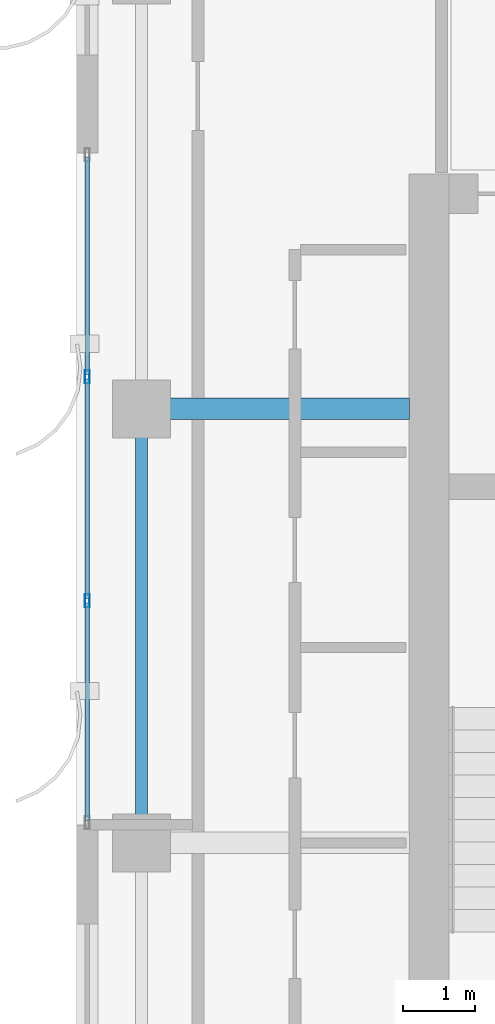
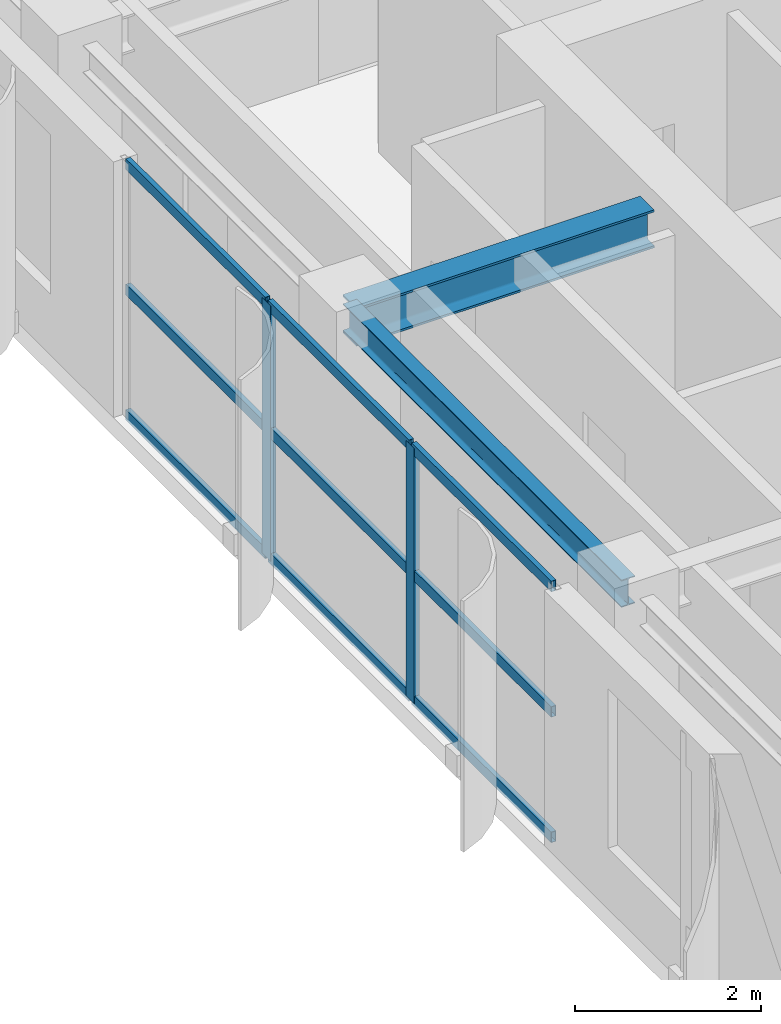
# One storey, part 6 of 24: 11 members, 2 beams, 1 element without a shape of its own.
"""IFC4 building model written with IfcOpenShell, lengths in metres."""

import ifcopenshell
import ifcopenshell.guid

model = None  # the IFC model being written
_history = None  # IfcOwnerHistory: only IFC2X3 demands one
_inside = {}  # id of a spatial element -> (the spatial element, [elements in it])
_under = {}  # id of a project, library or spatial element -> (it, [spatial elements below it])
_declared = {}  # id of a project -> (the project, [libraries it declares])
_typed = {}  # id of a type object -> (the type object, [elements of that type])
_made_of = {}  # id of a material, layer set ... -> (it, [elements and type objects made of it])


def new_model(schema):
    """Start an empty IFC model of exactly this schema.

    Asked for "IFC4X3", IfcOpenShell would pick the latest addendum, in which some entities
    have other attributes; the version numbers below select the first issue.
    IFC2X3 requires an IfcOwnerHistory on every rooted entity: one is made here for all.
    """
    global model, _history
    if schema == "IFC4X3":
        model = ifcopenshell.file(schema_version=(4, 3, 0, 0))
    else:
        model = ifcopenshell.file(schema=schema)
    _inside.clear()
    _under.clear()
    _declared.clear()
    _typed.clear()
    _made_of.clear()
    _history = None
    if model.schema == "IFC2X3":
        org = make("IfcOrganization", Name="unknown")
        user = make(
            "IfcPersonAndOrganization",
            ThePerson=make("IfcPerson", FamilyName="unknown"),
            TheOrganization=org,
        )
        app = make(
            "IfcApplication",
            ApplicationDeveloper=org,
            Version="unknown",
            ApplicationFullName="unknown",
            ApplicationIdentifier="unknown",
        )
        _history = make(
            "IfcOwnerHistory",
            OwningUser=user,
            OwningApplication=app,
            ChangeAction="ADDED",
            CreationDate=0,
        )
    return model


def make(cls, **values):
    """One entity of the class cls with the attributes given. An attribute that is None is left unset."""
    return model.create_entity(
        cls, **{name: value for name, value in values.items() if value is not None}
    )


def rooted(cls, **values):
    """An entity with a GlobalId (a new one), such as an element, a storey or a relation."""
    return make(cls, GlobalId=ifcopenshell.guid.new(), OwnerHistory=_history, **values)


def si_unit(unit_type, name, prefix=None):
    """IfcSIUnit, for example si_unit("LENGTHUNIT", "METRE", prefix="MILLI")."""
    return make("IfcSIUnit", UnitType=unit_type, Prefix=prefix, Name=name)


def assignment(units):
    """IfcUnitAssignment: the units of a project."""
    return None if units is None else make("IfcUnitAssignment", Units=units)


def point(xyz):
    """IfcCartesianPoint."""
    return None if xyz is None else make("IfcCartesianPoint", Coordinates=xyz)


def direction(xyz):
    """IfcDirection."""
    return None if xyz is None else make("IfcDirection", DirectionRatios=xyz)


def frame(location, z_axis=None, x_axis=None):
    """IfcAxis2Placement3D, a coordinate frame: its origin and axes. An axis left out is left unset."""
    return make(
        "IfcAxis2Placement3D",
        Location=point(location),
        Axis=direction(z_axis),
        RefDirection=direction(x_axis),
    )


def frame_2d(location, x_axis=None):
    """IfcAxis2Placement2D, a coordinate frame in the plane: its origin and x axis."""
    return make(
        "IfcAxis2Placement2D", Location=point(location), RefDirection=direction(x_axis)
    )


def origin():
    """The frame at (0, 0, 0) with its axes left unset."""
    return frame((0.0, 0.0, 0.0))


def origin_2d():
    """The frame at (0, 0) in the plane with its x axis left unset."""
    return frame_2d((0.0, 0.0))


def place(relative_to, where):
    """IfcLocalPlacement: puts the frame where relative to a parent placement (None: the world)."""
    return make(
        "IfcLocalPlacement", PlacementRelTo=relative_to, RelativePlacement=where
    )


def context(
    kind, dimensions, precision=None, world=None, true_north=None, identifier=None
):
    """IfcGeometricRepresentationContext, for example the 3D "Model" context."""
    return make(
        "IfcGeometricRepresentationContext",
        ContextIdentifier=identifier,
        ContextType=kind,
        CoordinateSpaceDimension=dimensions,
        Precision=precision,
        WorldCoordinateSystem=world,
        TrueNorth=true_north,
    )


def subcontext(parent, identifier, kind, view, scale=None):
    """IfcGeometricRepresentationSubContext, for example "Body" below "Model"."""
    return make(
        "IfcGeometricRepresentationSubContext",
        ContextIdentifier=identifier,
        ContextType=kind,
        ParentContext=parent,
        TargetScale=scale,
        TargetView=view,
    )


def project(units=None, contexts=None):
    """IfcProject with its units and contexts."""
    return rooted(
        "IfcProject",
        Name="project",
        RepresentationContexts=contexts,
        UnitsInContext=assignment(units),
    )


def spatial(cls, under=None, at=None, **own):
    """A site, building, storey or space (cls), placed at a placement, below another one or the project."""
    s = rooted(cls, ObjectPlacement=at, **own)
    if under is not None:
        _under.setdefault(under.id(), (under, []))[1].append(s)
    return s


def profile(cls, at=None, kind="AREA", **sizes):
    """A parametric profile (cls). Its sizes go by their IFC names, for example OverallWidth=200.0."""
    return make(cls, ProfileType=kind, Position=at, **sizes)


def hollow_rectangle(**sizes):
    """IfcRectangleHollowProfileDef."""
    return profile("IfcRectangleHollowProfileDef", **sizes)


def i_section(**sizes):
    """IfcIShapeProfileDef."""
    return profile("IfcIShapeProfileDef", **sizes)


def extrude(swept, where, along, depth):
    """IfcExtrudedAreaSolid: the profile swept, set in the frame where, extruded along a direction by depth."""
    return make(
        "IfcExtrudedAreaSolid",
        SweptArea=swept,
        Position=where,
        ExtrudedDirection=direction(along),
        Depth=depth,
    )


def shape(context_of_items, identifier, shape_type, items):
    """IfcShapeRepresentation: the items that make up one representation, for example the "Body"."""
    return make(
        "IfcShapeRepresentation",
        ContextOfItems=context_of_items,
        RepresentationIdentifier=identifier,
        RepresentationType=shape_type,
        Items=items,
    )


def source(mapping_origin, context_of_items, identifier, shape_type, items):
    """IfcRepresentationMap: a shape defined once, which mapped items show again and again."""
    return make(
        "IfcRepresentationMap",
        MappingOrigin=mapping_origin,
        MappedRepresentation=shape(context_of_items, identifier, shape_type, items),
    )


def transform(
    local_origin,
    x_axis=None,
    y_axis=None,
    z_axis=None,
    scale=None,
    scale2=None,
    scale3=None,
    uniform=True,
):
    """IfcCartesianTransformationOperator3D, or its non-uniform kind. x_axis, y_axis, z_axis: its Axis1, 2, 3."""
    if uniform:
        return make(
            "IfcCartesianTransformationOperator3D",
            Axis1=direction(x_axis),
            Axis2=direction(y_axis),
            LocalOrigin=point(local_origin),
            Scale=scale,
            Axis3=direction(z_axis),
        )
    return make(
        "IfcCartesianTransformationOperator3DnonUniform",
        Axis1=direction(x_axis),
        Axis2=direction(y_axis),
        LocalOrigin=point(local_origin),
        Scale=scale,
        Axis3=direction(z_axis),
        Scale2=scale2,
        Scale3=scale3,
    )


def mapped(mapping_source, mapping_target):
    """IfcMappedItem: shows the shape of a source again, moved by a transform."""
    return make(
        "IfcMappedItem", MappingSource=mapping_source, MappingTarget=mapping_target
    )


def material(Name=None, Category=None):
    """IfcMaterial."""
    return make("IfcMaterial", Name=Name, Category=Category)


def layer(
    of_material, thickness, ventilated=None, Name=None, Category=None, Priority=None
):
    """IfcMaterialLayer: one layer of a wall or slab, of a material (None: an air gap)."""
    return make(
        "IfcMaterialLayer",
        Material=of_material,
        LayerThickness=thickness,
        IsVentilated=ventilated,
        Name=Name,
        Category=Category,
        Priority=Priority,
    )


def layer_set(layers, Name=None):
    """IfcMaterialLayerSet."""
    return make("IfcMaterialLayerSet", MaterialLayers=layers, LayerSetName=Name)


def material_profile(
    of_material, cross_section, Name=None, Category=None, Priority=None
):
    """IfcMaterialProfile: a cross section and its material."""
    return make(
        "IfcMaterialProfile",
        Name=Name,
        Material=of_material,
        Profile=cross_section,
        Priority=Priority,
        Category=Category,
    )


def profile_set(profiles, Name=None, composite=None):
    """IfcMaterialProfileSet."""
    return make(
        "IfcMaterialProfileSet",
        Name=Name,
        MaterialProfiles=profiles,
        CompositeProfile=composite,
    )


def made_of(thing, what):
    """Note that an element or type object is made of a material, layer set ...; save() writes the relation."""
    if what is not None:
        _made_of.setdefault(what.id(), (what, []))[1].append(thing)
    return thing


def type_object(cls, material=None, **own):
    """A type object (cls), such as IfcWallType, which elements share."""
    return made_of(rooted(cls, **own), material)


def element(
    cls,
    number,
    at=None,
    inside=None,
    cuts=None,
    type_object=None,
    material=None,
    context=None,
    identifier="Body",
    shape_type=None,
    held_by="IfcProductDefinitionShape",
    body=None,
    shapes=None,
    **own,
):
    """One element of the class cls, such as IfcWall. Its Tag is "e" and its number.

    at: its placement. inside: the storey or other place that contains it. cuts: it is an
    opening in that element (IfcRelVoidsElement). A single representation is given by context,
    identifier, shape_type and body (its items); several are given by shapes. held_by: the class
    of the entity that holds the representations. save() writes the other relations.
    """
    e = rooted(cls, Tag="e%d" % number, ObjectPlacement=at, **own)
    if body is not None:
        shapes = [shape(context, identifier, shape_type, body)]
    if shapes is not None:
        e.Representation = make(held_by, Representations=shapes)
    if inside is not None:
        _inside.setdefault(inside.id(), (inside, []))[1].append(e)
    if cuts is not None:
        rooted(
            "IfcRelVoidsElement", RelatingBuildingElement=cuts, RelatedOpeningElement=e
        )
    if type_object is not None:
        _typed.setdefault(type_object.id(), (type_object, []))[1].append(e)
    return made_of(e, material)


def aggregate(whole, parts):
    """IfcRelAggregates: a whole, such as a stair, and the parts it consists of."""
    return rooted("IfcRelAggregates", RelatingObject=whole, RelatedObjects=parts)


def save(model, path):
    """Write the relations noted so far, then the file.

    IfcRelAggregates (storeys below a building ...), IfcRelContainedInSpatialStructure (elements
    in a storey), IfcRelDefinesByType, IfcRelAssociatesMaterial and IfcRelDeclares: one each for
    every whole, place, type object, material and project.
    """
    for whole, parts in _under.values():
        aggregate(whole, parts)
    for where, things in _inside.values():
        rooted(
            "IfcRelContainedInSpatialStructure",
            RelatedElements=things,
            RelatingStructure=where,
        )
    for kind, things in _typed.values():
        rooted("IfcRelDefinesByType", RelatedObjects=things, RelatingType=kind)
    for what, things in _made_of.values():
        rooted("IfcRelAssociatesMaterial", RelatedObjects=things, RelatingMaterial=what)
    for by, libraries in _declared.values():
        rooted("IfcRelDeclares", RelatingContext=by, RelatedDefinitions=libraries)
    model.write(path)


model = new_model("IFC4")

# Units and contexts
model_context = context("Model", 3, precision=1e-05, world=origin(), true_north=direction((0.0, 1.0)))
body_context = subcontext(model_context, "Body", "Model", "MODEL_VIEW")
ifc_project = project(units=[si_unit("LENGTHUNIT", "METRE"), si_unit("AREAUNIT", "SQUARE_METRE"), si_unit("VOLUMEUNIT", "CUBIC_METRE"), si_unit("PLANEANGLEUNIT", "RADIAN"), si_unit("MASSUNIT", "GRAM", prefix="KILO")], contexts=[model_context])

# Site, building, storey
site_placement = place(None, origin())
site = spatial("IfcSite", under=ifc_project, at=site_placement, CompositionType="ELEMENT")
building_placement = place(site_placement, origin())
building = spatial("IfcBuilding", under=site, at=building_placement, Name="Khoralis Quay Care Tower", CompositionType="ELEMENT")
storey_placement = place(building_placement, frame((0.0, 0.0, 234.89990234375)))
storey = spatial("IfcBuildingStorey", under=building, at=storey_placement, Name="L61", CompositionType="ELEMENT", Elevation=234.89990234375)

# Beams
ifc_material_1 = material(Name="Steel S355", Category="steel")
ifc_material_profile_1 = material_profile(ifc_material_1, i_section(OverallWidth=0.169921875, OverallDepth=0.360107421875, WebThickness=0.008056640625, FlangeThickness=0.0126953125, FilletRadius=0.01806640625, at=origin_2d()), Name="Steel S355")
ifc_profile_set_1 = profile_set([ifc_material_profile_1], Name="Steel S355")
beam_type_1 = type_object("IfcBeamType", Name="BM-IPE360", PredefinedType="SPANDREL", material=ifc_profile_set_1)
shared_shape_1 = source(origin(), body_context, "Body", "SweptSolid", [
    extrude(i_section(OverallWidth=0.169921875, OverallDepth=0.360107421875, WebThickness=0.008056640625, FlangeThickness=0.0126953125, FilletRadius=0.01806640625, at=origin_2d()), origin(), (0.0, 0.0, 1.0), 6.0),
])
beam_1_placement = place(storey_placement, frame((3.89990234375, 18.0, 3.18017578125), z_axis=(0.0, 1.0, 0.0), x_axis=(-1.0, 0.0, 0.0)))
element("IfcBeam", 1, at=beam_1_placement, inside=storey, type_object=beam_type_1, Name="BM-TSP-L61-06", PredefinedType="SPANDREL", context=body_context, shape_type="MappedRepresentation", body=[
    mapped(shared_shape_1, transform((0.0, 0.0, 0.0), scale=1.0)),
])
ifc_material_profile_2 = material_profile(ifc_material_1, i_section(OverallWidth=0.300048828125, OverallDepth=0.5, WebThickness=0.014404296875, FlangeThickness=0.028076171875, FilletRadius=0.027099609375, at=origin_2d()), Name="Steel S355")
ifc_profile_set_2 = profile_set([ifc_material_profile_2], Name="Steel S355")
beam_type_2 = type_object("IfcBeamType", Name="BM-HEB500", PredefinedType="BEAM", material=ifc_profile_set_2)
shared_shape_2 = source(origin(), body_context, "Body", "SweptSolid", [
    extrude(i_section(OverallWidth=0.300048828125, OverallDepth=0.5, WebThickness=0.014404296875, FlangeThickness=0.028076171875, FilletRadius=0.027099609375, at=origin_2d()), origin(), (0.0, 0.0, 1.0), 3.7021484375),
])
beam_2_placement = place(storey_placement, frame((3.89990234375, 24.0, 3.110107421875), z_axis=(1.0, 0.0, 0.0), x_axis=(0.0, 1.0, 0.0)))
element("IfcBeam", 2, at=beam_2_placement, inside=storey, type_object=beam_type_2, Name="BM-TGXW-L61-240", PredefinedType="BEAM", context=body_context, shape_type="MappedRepresentation", body=[
    mapped(shared_shape_2, transform((0.0, 0.0, 0.0), scale=1.0)),
])

# Curtain wall, members
ifc_material_2 = material(Name="Pale anodised aluminium", Category="aluminium")
ifc_layer = layer(ifc_material_2, 0.159912109375)
ifc_layer_set = layer_set([ifc_layer], Name="Pale anodised aluminium")
curtain_wall_type = type_object("IfcCurtainWallType", Name="CW-SYS-Z3", PredefinedType="NOTDEFINED", material=ifc_layer_set)
curtain_wall_placement = place(storey_placement, origin())
curtain_wall = element("IfcCurtainWall", 3, at=curtain_wall_placement, inside=storey, type_object=curtain_wall_type, Name="L61 Unitised Curtain Wall CW-L61-P1-E7", PredefinedType="NOTDEFINED")
ifc_material_profile_3 = material_profile(ifc_material_2, hollow_rectangle(XDim=0.06494140625, YDim=0.179931640625, WallThickness=0.00390625, at=origin_2d()), Name="Pale anodised aluminium")
ifc_profile_set_3 = profile_set([ifc_material_profile_3], Name="Pale anodised aluminium")
member_type_1 = type_object("IfcMemberType", Name="CW-MUL-180", PredefinedType="MULLION", material=ifc_profile_set_3)
shared_shape_3 = source(origin(), body_context, "Body", "SweptSolid", [
    extrude(hollow_rectangle(XDim=0.06494140625, YDim=0.179931640625, WallThickness=0.00390625, at=origin_2d()), origin(), (0.0, 0.0, 1.0), 3.360107421875),
])
member_1_placement = place(storey_placement, frame((3.14990234375, 24.443359375, 0.0), z_axis=(0.0, 0.0, 1.0), x_axis=(1.0, 0.0, 0.0)))
member_1 = element("IfcMember", 4, at=member_1_placement, type_object=member_type_1, Name="CW3 mullion 2", PredefinedType="MULLION", context=body_context, shape_type="MappedRepresentation", body=[
    mapped(shared_shape_3, transform((0.0, 0.0, 0.0), scale=1.0)),
])
member_2_placement = place(storey_placement, frame((3.14990234375, 21.3466796875, 0.0), z_axis=(0.0, 0.0, 1.0), x_axis=(1.0, 0.0, 0.0)))
member_2 = element("IfcMember", 5, at=member_2_placement, type_object=member_type_1, Name="CW3 mullion 3", PredefinedType="MULLION", context=body_context, shape_type="MappedRepresentation", body=[
    mapped(shared_shape_3, transform((0.0, 0.0, 0.0), scale=1.0)),
])
ifc_material_profile_4 = material_profile(ifc_material_2, hollow_rectangle(XDim=0.06005859375, YDim=0.139892578125, WallThickness=0.00390625, at=origin_2d()), Name="Pale anodised aluminium")
ifc_profile_set_4 = profile_set([ifc_material_profile_4], Name="Pale anodised aluminium")
member_type_2 = type_object("IfcMemberType", Name="CW-TRN-140", PredefinedType="USERDEFINED", material=ifc_profile_set_4)
shared_shape_4 = source(origin(), body_context, "Body", "SweptSolid", [
    extrude(hollow_rectangle(XDim=0.06005859375, YDim=0.139892578125, WallThickness=0.00390625, at=origin_2d()), origin(), (0.0, 0.0, 1.0), 3.006591796875),
])
member_3_placement = place(storey_placement, frame((3.14990234375, 27.47998046875, 0.030029296875), z_axis=(0.0, -1.0, 0.0), x_axis=(1.0, 0.0, 0.0)))
member_3 = element("IfcMember", 6, at=member_3_placement, type_object=member_type_2, Name="CW3 transom 1.1", ObjectType="TRANSOM", PredefinedType="USERDEFINED", context=body_context, shape_type="MappedRepresentation", body=[
    mapped(shared_shape_4, transform((0.0, 0.0, 0.0), scale=1.0)),
])
member_4_placement = place(storey_placement, frame((3.14990234375, 27.47998046875, 1.68017578125), z_axis=(0.0, -1.0, 0.0), x_axis=(1.0, 0.0, 0.0)))
member_4 = element("IfcMember", 7, at=member_4_placement, type_object=member_type_2, Name="CW3 transom 1.2", ObjectType="TRANSOM", PredefinedType="USERDEFINED", context=body_context, shape_type="MappedRepresentation", body=[
    mapped(shared_shape_4, transform((0.0, 0.0, 0.0), scale=1.0)),
])
member_5_placement = place(storey_placement, frame((3.14990234375, 27.47998046875, 3.330078125), z_axis=(0.0, -1.0, 0.0), x_axis=(1.0, 0.0, 0.0)))
member_5 = element("IfcMember", 8, at=member_5_placement, type_object=member_type_2, Name="CW3 transom 1.3", ObjectType="TRANSOM", PredefinedType="USERDEFINED", context=body_context, shape_type="MappedRepresentation", body=[
    mapped(shared_shape_4, transform((0.0, 0.0, 0.0), scale=1.0)),
])
member_6_placement = place(storey_placement, frame((3.14990234375, 21.316650390625, 0.030029296875), z_axis=(0.0, -1.0, 0.0), x_axis=(1.0, 0.0, 0.0)))
member_6 = element("IfcMember", 9, at=member_6_placement, type_object=member_type_2, Name="CW3 transom 3.1", ObjectType="TRANSOM", PredefinedType="USERDEFINED", context=body_context, shape_type="MappedRepresentation", body=[
    mapped(shared_shape_4, transform((0.0, 0.0, 0.0), scale=1.0)),
])
member_7_placement = place(storey_placement, frame((3.14990234375, 21.316650390625, 1.68017578125), z_axis=(0.0, -1.0, 0.0), x_axis=(1.0, 0.0, 0.0)))
member_7 = element("IfcMember", 10, at=member_7_placement, type_object=member_type_2, Name="CW3 transom 3.2", ObjectType="TRANSOM", PredefinedType="USERDEFINED", context=body_context, shape_type="MappedRepresentation", body=[
    mapped(shared_shape_4, transform((0.0, 0.0, 0.0), scale=1.0)),
])
member_8_placement = place(storey_placement, frame((3.14990234375, 21.316650390625, 3.330078125), z_axis=(0.0, -1.0, 0.0), x_axis=(1.0, 0.0, 0.0)))
member_8 = element("IfcMember", 11, at=member_8_placement, type_object=member_type_2, Name="CW3 transom 3.3", ObjectType="TRANSOM", PredefinedType="USERDEFINED", context=body_context, shape_type="MappedRepresentation", body=[
    mapped(shared_shape_4, transform((0.0, 0.0, 0.0), scale=1.0)),
])
shared_shape_5 = source(origin(), body_context, "Body", "SweptSolid", [
    extrude(hollow_rectangle(XDim=0.06005859375, YDim=0.139892578125, WallThickness=0.00390625, at=origin_2d()), origin(), (0.0, 0.0, 1.0), 3.03662109375),
])
member_9_placement = place(storey_placement, frame((3.14990234375, 24.413330078125, 0.030029296875), z_axis=(0.0, -1.0, 0.0), x_axis=(1.0, 0.0, 0.0)))
member_9 = element("IfcMember", 12, at=member_9_placement, type_object=member_type_2, Name="CW3 transom 2.1", ObjectType="TRANSOM", PredefinedType="USERDEFINED", context=body_context, shape_type="MappedRepresentation", body=[
    mapped(shared_shape_5, transform((0.0, 0.0, 0.0), scale=1.0)),
])
member_10_placement = place(storey_placement, frame((3.14990234375, 24.413330078125, 1.68017578125), z_axis=(0.0, -1.0, 0.0), x_axis=(1.0, 0.0, 0.0)))
member_10 = element("IfcMember", 13, at=member_10_placement, type_object=member_type_2, Name="CW3 transom 2.2", ObjectType="TRANSOM", PredefinedType="USERDEFINED", context=body_context, shape_type="MappedRepresentation", body=[
    mapped(shared_shape_5, transform((0.0, 0.0, 0.0), scale=1.0)),
])
member_11_placement = place(storey_placement, frame((3.14990234375, 24.413330078125, 3.330078125), z_axis=(0.0, -1.0, 0.0), x_axis=(1.0, 0.0, 0.0)))
member_11 = element("IfcMember", 14, at=member_11_placement, type_object=member_type_2, Name="CW3 transom 2.3", ObjectType="TRANSOM", PredefinedType="USERDEFINED", context=body_context, shape_type="MappedRepresentation", body=[
    mapped(shared_shape_5, transform((0.0, 0.0, 0.0), scale=1.0)),
])
aggregate(curtain_wall, [member_1, member_2, member_3, member_4, member_5, member_9, member_10, member_11, member_6, member_7, member_8])

save(model, "model.ifc")
